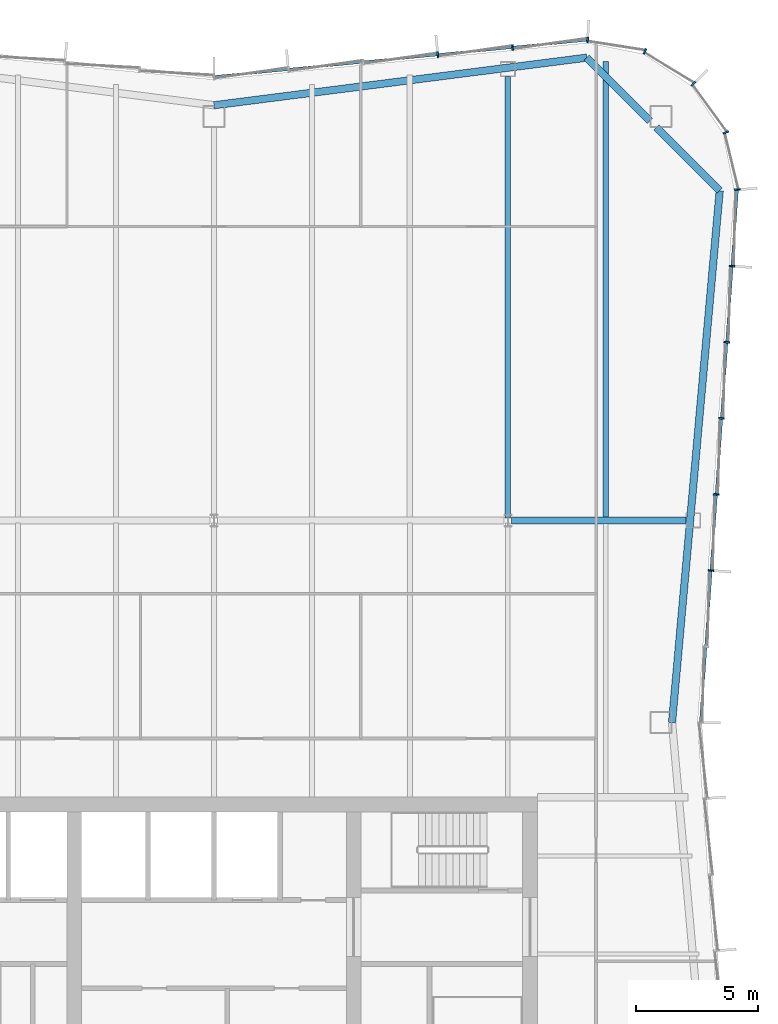
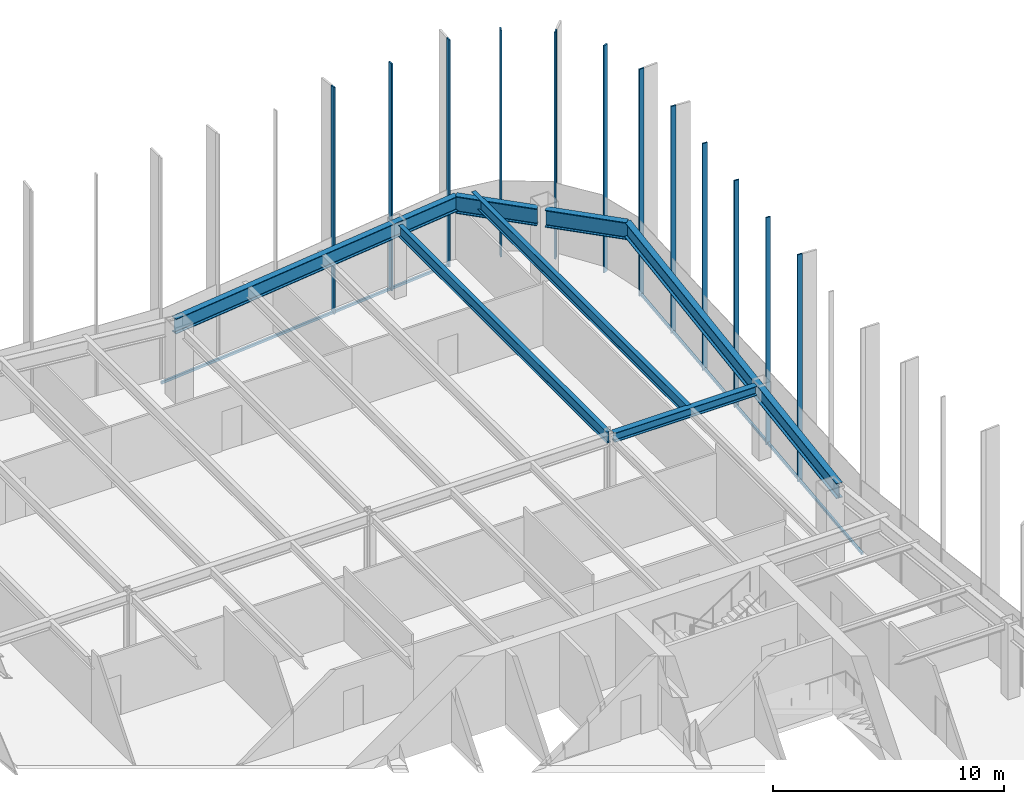
# One storey, part 7 of 13: 14 members, 7 beams, 3 elements without a shape of their own.
"""IFC4 building model written with IfcOpenShell, lengths in metres."""

from ifc_helpers import new_model, si_unit, direction, frame, origin, origin_2d, place, context, subcontext, project, spatial, rectangle, i_section, extrude, material, material_profile, profile_set, type_object, element, aggregate, save


model = new_model("IFC4")

# Units and contexts
model_context = context("Model", 3, precision=1e-05, world=origin(), true_north=direction((0.0, 1.0)))
body_context = subcontext(model_context, "Body", "Model", "MODEL_VIEW")
ifc_project = project(units=[si_unit("LENGTHUNIT", "METRE"), si_unit("AREAUNIT", "SQUARE_METRE"), si_unit("VOLUMEUNIT", "CUBIC_METRE"), si_unit("PLANEANGLEUNIT", "RADIAN"), si_unit("MASSUNIT", "GRAM", prefix="KILO")], contexts=[model_context])

# Site, building, storey
site_placement = place(None, origin())
site = spatial("IfcSite", under=ifc_project, at=site_placement, CompositionType="ELEMENT")
building_placement = place(site_placement, origin())
building = spatial("IfcBuilding", under=site, at=building_placement, Name="Verdant Reach Tower", CompositionType="ELEMENT")
storey_placement = place(building_placement, frame((0.0, 0.0, 318.0)))
storey = spatial("IfcBuildingStorey", under=building, at=storey_placement, Name="L73", CompositionType="ELEMENT", Elevation=318.0)

# Curtain wall, members
ifc_material_1 = material(Name="Anodised aluminium", Category="aluminium")
curtain_wall_type = type_object("IfcCurtainWallType", Name="EN-CW SYSTEM Z5", PredefinedType="NOTDEFINED", material=ifc_material_1)
curtain_wall_1_placement = place(storey_placement, origin())
curtain_wall_1 = element("IfcCurtainWall", 1, at=curtain_wall_1_placement, inside=storey, type_object=curtain_wall_type, Name="Curtain wall east, L73", PredefinedType="NOTDEFINED")
ifc_material_profile_1 = material_profile(ifc_material_1, rectangle(XDim=0.22998046875, YDim=0.070068359375, at=origin_2d()), Name="Mullion 70x230")
ifc_profile_set_1 = profile_set([ifc_material_profile_1], Name="Anodised aluminium")
member_type_1 = type_object("IfcMemberType", Name="EN-MULLION Z5", PredefinedType="MULLION", material=ifc_profile_set_1)
member_1_placement = place(storey_placement, frame((20.293212890625, 47.456298828125, -0.35009765625), z_axis=(0.0, 0.0, 1.0), x_axis=(0.997630328423, -0.068802091615, 0.0)))
member_1 = element("IfcMember", 2, at=member_1_placement, type_object=member_type_1, Name="Mullion east face part 2 3, L73", PredefinedType="MULLION", context=body_context, shape_type="SweptSolid", body=[
    extrude(rectangle(XDim=0.22998046875, YDim=0.070068359375, at=origin_2d()), origin(), (0.0, 0.0, 1.0), 12.0),
])
member_2_placement = place(storey_placement, frame((20.507568359375, 50.5634765625, -0.35009765625), z_axis=(0.0, 0.0, 1.0), x_axis=(0.997630328423, -0.068802091615, 0.0)))
member_2 = element("IfcMember", 3, at=member_2_placement, type_object=member_type_1, Name="Mullion east face part 2 4, L73", PredefinedType="MULLION", context=body_context, shape_type="SweptSolid", body=[
    extrude(rectangle(XDim=0.22998046875, YDim=0.070068359375, at=origin_2d()), origin(), (0.0, 0.0, 1.0), 12.0),
])
member_3_placement = place(storey_placement, frame((20.721923828125, 53.670654296875, -0.35009765625), z_axis=(0.0, 0.0, 1.0), x_axis=(0.997630328423, -0.068802091615, 0.0)))
member_3 = element("IfcMember", 4, at=member_3_placement, type_object=member_type_1, Name="Mullion east face part 2 5, L73", PredefinedType="MULLION", context=body_context, shape_type="SweptSolid", body=[
    extrude(rectangle(XDim=0.22998046875, YDim=0.070068359375, at=origin_2d()), origin(), (0.0, 0.0, 1.0), 12.0),
])
member_4_placement = place(storey_placement, frame((20.93603515625, 56.77783203125, -0.35009765625), z_axis=(0.0, 0.0, 1.0), x_axis=(0.997630328423, -0.068802091615, 0.0)))
member_4 = element("IfcMember", 5, at=member_4_placement, type_object=member_type_1, Name="Mullion east face part 2 6, L73", PredefinedType="MULLION", context=body_context, shape_type="SweptSolid", body=[
    extrude(rectangle(XDim=0.22998046875, YDim=0.070068359375, at=origin_2d()), origin(), (0.0, 0.0, 1.0), 12.0),
])
member_5_placement = place(storey_placement, frame((21.150390625, 59.885009765625, -0.35009765625), z_axis=(0.0, 0.0, 1.0), x_axis=(0.997630328423, -0.068802091615, 0.0)))
member_5 = element("IfcMember", 6, at=member_5_placement, type_object=member_type_1, Name="Mullion east face part 2 7, L73", PredefinedType="MULLION", context=body_context, shape_type="SweptSolid", body=[
    extrude(rectangle(XDim=0.22998046875, YDim=0.070068359375, at=origin_2d()), origin(), (0.0, 0.0, 1.0), 12.0),
])

curtain_wall_2_placement = place(storey_placement, origin())
curtain_wall_2 = element("IfcCurtainWall", 7, at=curtain_wall_2_placement, inside=storey, type_object=curtain_wall_type, Name="Curtain wall north-east corner, L73", PredefinedType="NOTDEFINED")
member_6_placement = place(storey_placement, frame((21.36474609375, 63.00732421875, -0.35009765625), z_axis=(0.0, 0.0, 1.0), x_axis=(0.997969180898, 0.063698618332, 0.0)))
member_6 = element("IfcMember", 8, at=member_6_placement, type_object=member_type_1, Name="Mullion north-east corner 1, L73", PredefinedType="MULLION", context=body_context, shape_type="SweptSolid", body=[
    extrude(rectangle(XDim=0.22998046875, YDim=0.070068359375, at=origin_2d()), origin(), (0.0, 0.0, 1.0), 12.0),
])
member_7_placement = place(storey_placement, frame((20.899658203125, 65.340087890625, -0.35009765625), z_axis=(0.0, 0.0, 1.0), x_axis=(0.923875215753, 0.382693853776, 0.0)))
member_7 = element("IfcMember", 9, at=member_7_placement, type_object=member_type_1, Name="Mullion north-east corner 2, L73", PredefinedType="MULLION", context=body_context, shape_type="SweptSolid", body=[
    extrude(rectangle(XDim=0.22998046875, YDim=0.070068359375, at=origin_2d()), origin(), (0.0, 0.0, 1.0), 12.0),
])
member_8_placement = place(storey_placement, frame((19.573974609375, 67.323974609375, -0.35009765625), z_axis=(0.0, 0.0, 1.0), x_axis=(0.707106781187, 0.707106781187, 0.0)))
member_8 = element("IfcMember", 10, at=member_8_placement, type_object=member_type_1, Name="Mullion north-east corner 3, L73", PredefinedType="MULLION", context=body_context, shape_type="SweptSolid", body=[
    extrude(rectangle(XDim=0.22998046875, YDim=0.070068359375, at=origin_2d()), origin(), (0.0, 0.0, 1.0), 12.0),
])
member_9_placement = place(storey_placement, frame((17.590087890625, 68.649658203125, -0.35009765625), z_axis=(0.0, 0.0, 1.0), x_axis=(0.382693853776, 0.923875215753, 0.0)))
member_9 = element("IfcMember", 11, at=member_9_placement, type_object=member_type_1, Name="Mullion north-east corner 4, L73", PredefinedType="MULLION", context=body_context, shape_type="SweptSolid", body=[
    extrude(rectangle(XDim=0.22998046875, YDim=0.070068359375, at=origin_2d()), origin(), (0.0, 0.0, 1.0), 12.0),
])
aggregate(curtain_wall_2, [member_6, member_7, member_8, member_9])

curtain_wall_3_placement = place(storey_placement, origin())
curtain_wall_3 = element("IfcCurtainWall", 12, at=curtain_wall_3_placement, inside=storey, type_object=curtain_wall_type, Name="Curtain wall north, L73", PredefinedType="NOTDEFINED")
member_10_placement = place(storey_placement, frame((15.255615234375, 69.11474609375, -0.35009765625), z_axis=(0.0, 0.0, 1.0), x_axis=(0.049127596288, 0.998792510626, 0.0)))
member_10 = element("IfcMember", 13, at=member_10_placement, type_object=member_type_1, Name="Mullion north face part 1 1, L73", PredefinedType="MULLION", context=body_context, shape_type="SweptSolid", body=[
    extrude(rectangle(XDim=0.22998046875, YDim=0.070068359375, at=origin_2d()), origin(), (0.0, 0.0, 1.0), 12.0),
])
member_11_placement = place(storey_placement, frame((12.188720703125, 68.814453125, -0.35009765625), z_axis=(0.0, 0.0, 1.0), x_axis=(-0.09788826992, 0.995197410875, 0.0)))
member_11 = element("IfcMember", 14, at=member_11_placement, type_object=member_type_1, Name="Mullion north face part 1 2, L73", PredefinedType="MULLION", context=body_context, shape_type="SweptSolid", body=[
    extrude(rectangle(XDim=0.22998046875, YDim=0.070068359375, at=origin_2d()), origin(), (0.0, 0.0, 1.0), 12.0),
])
member_12_placement = place(storey_placement, frame((9.138671875, 68.514404296875, -0.35009765625), z_axis=(0.0, 0.0, 1.0), x_axis=(-0.09788826992, 0.995197410875, 0.0)))
member_12 = element("IfcMember", 15, at=member_12_placement, type_object=member_type_1, Name="Mullion north face part 1 3, L73", PredefinedType="MULLION", context=body_context, shape_type="SweptSolid", body=[
    extrude(rectangle(XDim=0.22998046875, YDim=0.070068359375, at=origin_2d()), origin(), (0.0, 0.0, 1.0), 12.0),
])

# Member
ifc_material_profile_2 = material_profile(ifc_material_1, rectangle(XDim=0.10009765625, YDim=0.1298828125, at=origin_2d()), Name="Transom 130x100")
ifc_profile_set_2 = profile_set([ifc_material_profile_2], Name="Anodised aluminium")
member_type_2 = type_object("IfcMemberType", Name="EN-TRANSOM Z5", PredefinedType="USERDEFINED", material=ifc_profile_set_2)
member_13_placement = place(storey_placement, frame((19.867431640625, 41.284912109375, -0.284912109375), z_axis=(0.068764705107, 0.997632906099, 0.0), x_axis=(-0.997632906099, 0.068764705107, 0.0)))
member_13 = element("IfcMember", 16, at=member_13_placement, type_object=member_type_2, Name="Transom east face part 2 1.1, L73", ObjectType="TRANSOM", PredefinedType="USERDEFINED", context=body_context, shape_type="SweptSolid", body=[
    extrude(rectangle(XDim=0.10009765625, YDim=0.1298828125, at=origin_2d()), origin(), (0.0, 0.0, 1.0), 21.739013671875),
])

aggregate(curtain_wall_1, [member_1, member_2, member_3, member_4, member_5, member_13])

member_14_placement = place(storey_placement, frame((15.220703125, 69.111328125, -0.284912109375), z_axis=(-0.99520229006, -0.097838652171, 0.0), x_axis=(0.097838652171, -0.99520229006, 0.0)))
member_14 = element("IfcMember", 17, at=member_14_placement, type_object=member_type_2, Name="Transom north face part 1 1.1, L73", ObjectType="TRANSOM", PredefinedType="USERDEFINED", context=body_context, shape_type="SweptSolid", body=[
    extrude(rectangle(XDim=0.10009765625, YDim=0.1298828125, at=origin_2d()), origin(), (0.0, 0.0, 1.0), 15.259033203125),
])

aggregate(curtain_wall_3, [member_10, member_11, member_12, member_14])

# Beams
ifc_material_2 = material(Name="Steel S355", Category="steel")
ifc_material_profile_3 = material_profile(ifc_material_2, i_section(OverallWidth=0.300048828125, OverallDepth=0.489990234375, WebThickness=0.011962890625, FlangeThickness=0.02294921875, FilletRadius=0.027099609375, at=origin_2d()), Name="HEA 500")
ifc_profile_set_3 = profile_set([ifc_material_profile_3], Name="Steel S355")
beam_type_1 = type_object("IfcBeamType", Name="ST-BEAM-HEA500", PredefinedType="BEAM", material=ifc_profile_set_3)
beam_1_placement = place(storey_placement, frame((12.153076171875, 49.5, 3.625), z_axis=(1.0, 0.0, 0.0), x_axis=(0.0, 1.0, 0.0)))
element("IfcBeam", 18, at=beam_1_placement, inside=storey, type_object=beam_type_1, Name="Row girder, L73", PredefinedType="BEAM", context=body_context, shape_type="SweptSolid", body=[
    extrude(i_section(OverallWidth=0.300048828125, OverallDepth=0.489990234375, WebThickness=0.011962890625, FlangeThickness=0.02294921875, FilletRadius=0.027099609375, at=origin_2d()), origin(), (0.0, 0.0, 1.0), 7.115966796875),
])
ifc_material_profile_4 = material_profile(ifc_material_2, i_section(OverallWidth=0.219970703125, OverallDepth=0.60009765625, WebThickness=0.011962890625, FlangeThickness=0.01904296875, FilletRadius=0.02392578125, at=origin_2d()), Name="IPE 600")
ifc_profile_set_4 = profile_set([ifc_material_profile_4], Name="Steel S355")
beam_type_2 = type_object("IfcBeamType", Name="ST-JOIST-IPE600", PredefinedType="JOIST", material=ifc_profile_set_4)
beam_2_placement = place(storey_placement, frame((12.0, 49.60009765625, 3.570068359375), z_axis=(0.0, 1.0, 0.0), x_axis=(-1.0, 0.0, 0.0)))
element("IfcBeam", 19, at=beam_2_placement, inside=storey, type_object=beam_type_2, Name="Floor joist, L73", PredefinedType="JOIST", context=body_context, shape_type="SweptSolid", body=[
    extrude(i_section(OverallWidth=0.219970703125, OverallDepth=0.60009765625, WebThickness=0.011962890625, FlangeThickness=0.01904296875, FilletRadius=0.02392578125, at=origin_2d()), origin(), (0.0, 0.0, 1.0), 18.0302734375),
])
beam_3_placement = place(storey_placement, frame((16.0, 49.60009765625, 3.570068359375), z_axis=(0.0, 1.0, 0.0), x_axis=(-1.0, 0.0, 0.0)))
element("IfcBeam", 20, at=beam_3_placement, inside=storey, type_object=beam_type_2, Name="Floor joist, L73", PredefinedType="JOIST", context=body_context, shape_type="SweptSolid", body=[
    extrude(i_section(OverallWidth=0.219970703125, OverallDepth=0.60009765625, WebThickness=0.011962890625, FlangeThickness=0.01904296875, FilletRadius=0.02392578125, at=origin_2d()), origin(), (0.0, 0.0, 1.0), 18.638916015625),
])
ifc_material_profile_5 = material_profile(ifc_material_2, i_section(OverallWidth=0.300048828125, OverallDepth=0.800048828125, WebThickness=0.017578125, FlangeThickness=0.032958984375, FilletRadius=0.030029296875, at=origin_2d()), Name="HEB 800")
ifc_profile_set_5 = profile_set([ifc_material_profile_5], Name="Steel S355")
beam_type_3 = type_object("IfcBeamType", Name="ST-SPANDREL-HEB800", PredefinedType="SPANDREL", material=ifc_profile_set_5)
beam_4_placement = place(storey_placement, frame((0.0, 66.449951171875, 3.469970703125), z_axis=(0.991938889669, 0.126717162063, 0.0), x_axis=(-0.126717162063, 0.991938889669, 0.0)))
element("IfcBeam", 21, at=beam_4_placement, inside=storey, type_object=beam_type_3, Name="Edge beam, L73", PredefinedType="SPANDREL", context=body_context, shape_type="SweptSolid", body=[
    extrude(i_section(OverallWidth=0.300048828125, OverallDepth=0.800048828125, WebThickness=0.017578125, FlangeThickness=0.032958984375, FilletRadius=0.030029296875, at=origin_2d()), origin(), (0.0, 0.0, 1.0), 15.343994140625),
])
beam_5_placement = place(storey_placement, frame((20.64599609375, 62.96142578125, 3.469970703125), z_axis=(-0.089274399498, -0.996007069048, 0.0), x_axis=(0.996007069048, -0.089274399498, 0.0)))
element("IfcBeam", 22, at=beam_5_placement, inside=storey, type_object=beam_type_3, Name="Edge beam, L73", PredefinedType="SPANDREL", context=body_context, shape_type="SweptSolid", body=[
    extrude(i_section(OverallWidth=0.300048828125, OverallDepth=0.800048828125, WebThickness=0.017578125, FlangeThickness=0.032958984375, FilletRadius=0.030029296875, at=origin_2d()), origin(), (0.0, 0.0, 1.0), 21.798583984375),
])
ifc_material_profile_6 = material_profile(ifc_material_2, i_section(OverallWidth=0.302001953125, OverallDepth=0.909912109375, WebThickness=0.02099609375, FlangeThickness=0.0400390625, FilletRadius=0.030029296875, at=origin_2d()), Name="HEM 900")
ifc_profile_set_6 = profile_set([ifc_material_profile_6], Name="Steel S355")
beam_type_4 = type_object("IfcBeamType", Name="ST-SPANDREL-HEM900", PredefinedType="SPANDREL", material=ifc_profile_set_6)
beam_6_placement = place(storey_placement, frame((15.22021484375, 68.394287109375, 3.4150390625), z_axis=(0.706638520854, -0.707574731632, 0.0), x_axis=(0.707574731632, 0.706638520854, 0.0)))
element("IfcBeam", 23, at=beam_6_placement, inside=storey, type_object=beam_type_4, Name="Edge beam, L73", PredefinedType="SPANDREL", context=body_context, shape_type="SweptSolid", body=[
    extrude(i_section(OverallWidth=0.302001953125, OverallDepth=0.909912109375, WebThickness=0.02099609375, FlangeThickness=0.0400390625, FilletRadius=0.030029296875, at=origin_2d()), origin(), (0.0, 0.0, 1.0), 3.65087890625),
])
beam_7_placement = place(storey_placement, frame((18.060791015625, 65.550048828125, 3.4150390625), z_axis=(0.706639493403, -0.707573760369, 0.0), x_axis=(0.707573760369, 0.706639493403, 0.0)))
element("IfcBeam", 24, at=beam_7_placement, inside=storey, type_object=beam_type_4, Name="Edge beam, L73", PredefinedType="SPANDREL", context=body_context, shape_type="SweptSolid", body=[
    extrude(i_section(OverallWidth=0.302001953125, OverallDepth=0.909912109375, WebThickness=0.02099609375, FlangeThickness=0.0400390625, FilletRadius=0.030029296875, at=origin_2d()), origin(), (0.0, 0.0, 1.0), 3.658447265625),
])

save(model, "model.ifc")
